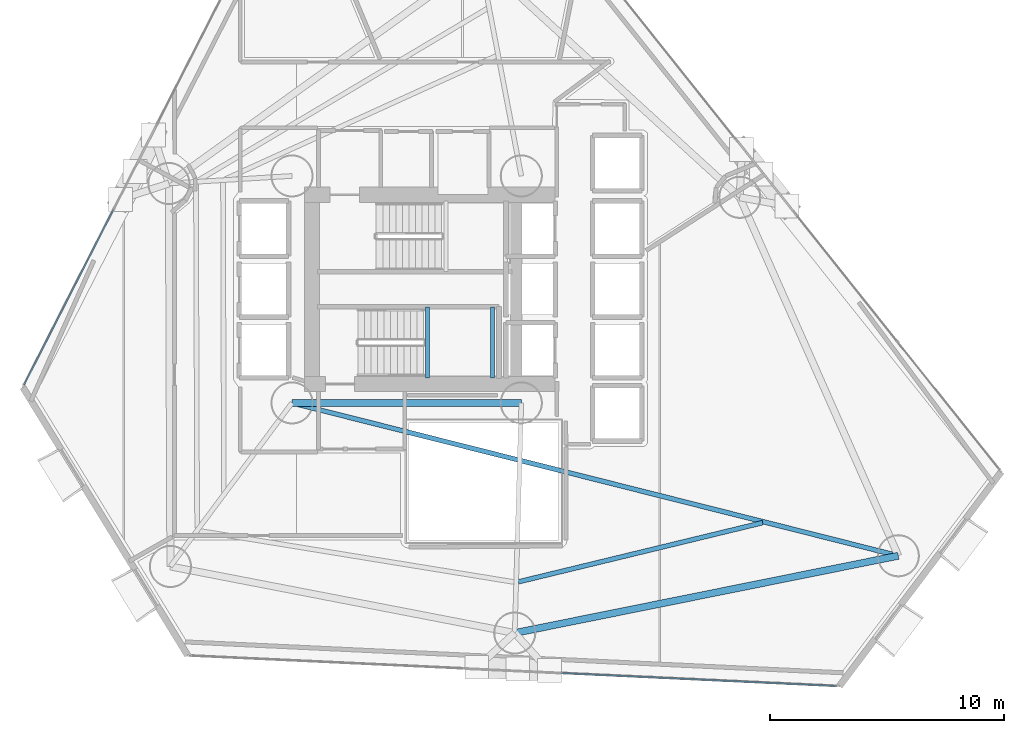
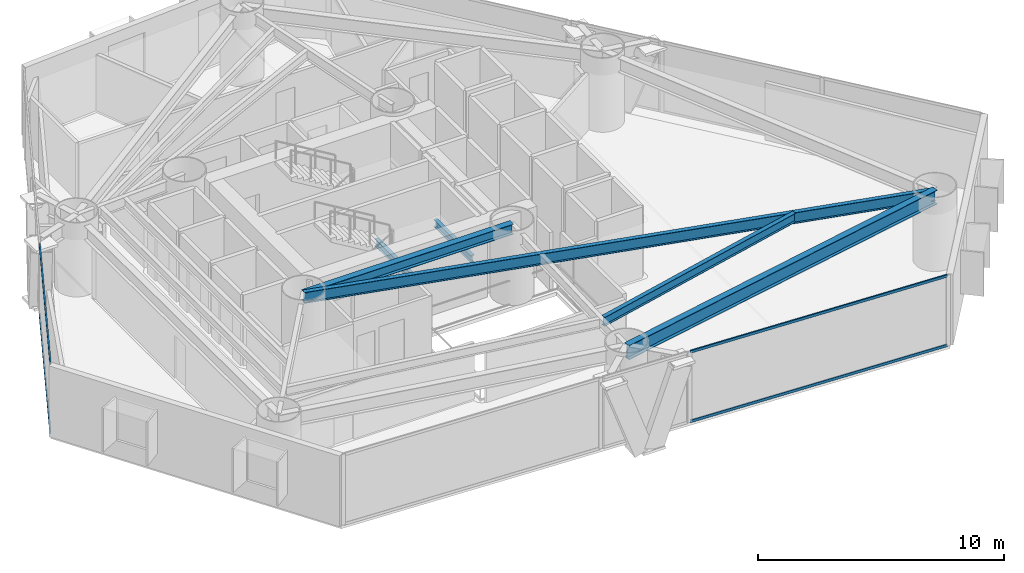
# One storey, part 6 of 23: 6 beams, 4 members, 2 elements without a shape of their own.
"""IFC4 building model written with IfcOpenShell, lengths in metres."""

from ifc_helpers import new_model, si_unit, direction, frame, origin, origin_2d, place, context, subcontext, project, spatial, hollow_rectangle, i_section, extrude, material, layer, layer_set, material_profile, profile_set, type_object, element, aggregate, save


model = new_model("IFC4")

# Units and contexts
model_context = context("Model", 3, precision=1e-05, world=origin(), true_north=direction((0.0, 1.0)))
body_context = subcontext(model_context, "Body", "Model", "MODEL_VIEW")
ifc_project = project(units=[si_unit("LENGTHUNIT", "METRE"), si_unit("AREAUNIT", "SQUARE_METRE"), si_unit("VOLUMEUNIT", "CUBIC_METRE"), si_unit("PLANEANGLEUNIT", "RADIAN"), si_unit("MASSUNIT", "GRAM", prefix="KILO")], contexts=[model_context])

# Site, building, storey
site_placement = place(None, origin())
site = spatial("IfcSite", under=ifc_project, at=site_placement, CompositionType="ELEMENT")
building_placement = place(site_placement, origin())
building = spatial("IfcBuilding", under=site, at=building_placement, Name="Qianvela Tower", CompositionType="ELEMENT")
storey_placement = place(building_placement, frame((0.0, 0.0, 33.10009765625)))
storey = spatial("IfcBuildingStorey", under=building, at=storey_placement, Name="L07", CompositionType="ELEMENT", Elevation=33.10009765625)

# Beams
ifc_material_1 = material(Name="Steel Q355B", Category="steel")
ifc_material_profile_1 = material_profile(ifc_material_1, i_section(OverallWidth=0.300048828125, OverallDepth=0.5, WebThickness=0.010986328125, FlangeThickness=0.01806640625, at=origin_2d()), Name="HM500x300x11x18")
ifc_profile_set_1 = profile_set([ifc_material_profile_1], Name="Steel Q355B")
beam_type_1 = type_object("IfcBeamType", Name="BM-HM500-COLL", PredefinedType="BEAM", material=ifc_profile_set_1)
beam_1_placement = place(storey_placement, frame((28.60009765625, 23.85009765625, 3.267822265625), z_axis=(1.0, 0.0, 0.0), x_axis=(0.0, 1.0, 0.0)))
element("IfcBeam", 1, at=beam_1_placement, inside=storey, type_object=beam_type_1, Name="L07 Core Ring Collector Girder CC1", PredefinedType="BEAM", context=body_context, shape_type="SweptSolid", body=[
    extrude(i_section(OverallWidth=0.300048828125, OverallDepth=0.5, WebThickness=0.010986328125, FlangeThickness=0.01806640625, at=origin_2d()), origin(), (0.0, 0.0, 1.0), 9.7998046875),
])
ifc_material_2 = material(Name="Steel Q355B", Category="steel")
ifc_material_profile_2 = material_profile(ifc_material_2, i_section(OverallWidth=0.175048828125, OverallDepth=0.35009765625, WebThickness=0.007080078125, FlangeThickness=0.010986328125, at=origin_2d()), Name="HN350x175x7x11")
ifc_profile_set_2 = profile_set([ifc_material_profile_2], Name="Steel Q355B")
beam_type_2 = type_object("IfcBeamType", Name="BM-HN350-JOIST", PredefinedType="JOIST", material=ifc_profile_set_2)
for number, where, z_axis, x_axis, name in (
    (2, (34.39990234375, 24.919921875, 1.474853515625), (0.0, 1.0, 0.0), (-1.0, 0.0, 0.0), "L07 Stair ST-2 Landing Support Beam 1.1"),
    (3, (37.169921875, 24.919921875, 1.474853515625), (0.0, 1.0, 0.0), (-1.0, 0.0, 0.0), "L07 Stair ST-2 Landing Support Beam 1.2"),
):
    element("IfcBeam", number, at=place(storey_placement, frame(where, z_axis=z_axis, x_axis=x_axis)), inside=storey, type_object=beam_type_2, Name=name, PredefinedType="JOIST", context=body_context, shape_type="SweptSolid", body=[
        extrude(i_section(OverallWidth=0.175048828125, OverallDepth=0.35009765625, WebThickness=0.007080078125, FlangeThickness=0.010986328125, at=origin_2d()), origin(), (0.0, 0.0, 1.0), 3.02001953125),
    ])
ifc_material_3 = material(Name="Steel Q355B", Category="steel")
ifc_material_profile_3 = material_profile(ifc_material_3, i_section(OverallWidth=0.199951171875, OverallDepth=0.449951171875, WebThickness=0.009033203125, FlangeThickness=0.013916015625, at=origin_2d()), Name="HN450x200x9x14")
ifc_profile_set_3 = profile_set([ifc_material_profile_3], Name="Steel Q355B")
beam_type_3 = type_object("IfcBeamType", Name="BM-HN450-JOIST", PredefinedType="JOIST", material=ifc_profile_set_3)
beam_2_placement = place(storey_placement, frame((38.27490234375, 16.2021484375, 3.29296875), z_axis=(0.97189533292, 0.235413385024, 0.0), x_axis=(-0.235413385024, 0.97189533292, 0.0)))
element("IfcBeam", 4, at=beam_2_placement, inside=storey, type_object=beam_type_3, Name="L07 Secondary Composite Floor Joist 6.3", PredefinedType="JOIST", context=body_context, shape_type="SweptSolid", body=[
    extrude(i_section(OverallWidth=0.199951171875, OverallDepth=0.449951171875, WebThickness=0.009033203125, FlangeThickness=0.013916015625, at=origin_2d()), origin(), (0.0, 0.0, 1.0), 10.7451171875),
])
ifc_material_4 = material(Name="Steel Q355B", Category="steel")
ifc_material_profile_4 = material_profile(ifc_material_4, i_section(OverallWidth=0.199951171875, OverallDepth=0.550048828125, WebThickness=0.010009765625, FlangeThickness=0.01611328125, at=origin_2d()), Name="HN550x200x10x16")
ifc_profile_set_4 = profile_set([ifc_material_profile_4], Name="Steel Q355B")
beam_type_4 = type_object("IfcBeamType", Name="BM-HN550-GIRD", PredefinedType="BEAM", material=ifc_profile_set_4)
beam_3_placement = place(storey_placement, frame((28.60009765625, 23.85009765625, 3.242919921875), z_axis=(0.969654189465, -0.244480577661, 0.0), x_axis=(0.244480577661, 0.969654189465, 0.0)))
element("IfcBeam", 5, at=beam_3_placement, inside=storey, type_object=beam_type_4, Name="L07 Radial Primary Floor Girder 1", PredefinedType="BEAM", context=body_context, shape_type="SweptSolid", body=[
    extrude(i_section(OverallWidth=0.199951171875, OverallDepth=0.550048828125, WebThickness=0.010009765625, FlangeThickness=0.01611328125, at=origin_2d()), origin(), (0.0, 0.0, 1.0), 26.722900390625),
])
ifc_material_5 = material(Name="Steel Q355B", Category="steel")
ifc_material_profile_5 = material_profile(ifc_material_5, i_section(OverallWidth=0.300048828125, OverallDepth=0.699951171875, WebThickness=0.012939453125, FlangeThickness=0.02392578125, at=origin_2d()), Name="HN700x300x13x24")
ifc_profile_set_5 = profile_set([ifc_material_profile_5], Name="Steel Q355B")
beam_type_5 = type_object("IfcBeamType", Name="BM-HN700-SPAND", PredefinedType="SPANDREL", material=ifc_profile_set_5)
beam_4_placement = place(storey_placement, frame((38.1201171875, 14.01611328125, 3.16796875), z_axis=(0.980322065881, 0.197404779951, 0.0), x_axis=(-0.197404779951, 0.980322065881, 0.0)))
element("IfcBeam", 6, at=beam_4_placement, inside=storey, type_object=beam_type_5, Name="L07 Perimeter Ring Spandrel Girder 6", PredefinedType="SPANDREL", context=body_context, shape_type="SweptSolid", body=[
    extrude(i_section(OverallWidth=0.300048828125, OverallDepth=0.699951171875, WebThickness=0.012939453125, FlangeThickness=0.02392578125, at=origin_2d()), origin(), (0.0, 0.0, 1.0), 16.720947265625),
])

# Curtain wall, members
ifc_material_6 = material(Name="Anodised Architectural Aluminium and Low-E Glass", Category="aluminium")
ifc_layer = layer(ifc_material_6, 0.179931640625)
ifc_layer_set = layer_set([ifc_layer], Name="Anodised Architectural Aluminium and Low-E Glass")
curtain_wall_type = type_object("IfcCurtainWallType", Name="CW-COLIV-Z12", PredefinedType="USERDEFINED", material=ifc_layer_set)
curtain_wall_1_placement = place(storey_placement, origin())
curtain_wall_1 = element("IfcCurtainWall", 7, at=curtain_wall_1_placement, inside=storey, type_object=curtain_wall_type, Name="L07 CW-COLIV-Z12 Curtain Wall 04C", ObjectType="CURTAIN_WALL_SYSTEM", PredefinedType="USERDEFINED")
ifc_material_7 = material(Name="Anodised Architectural Aluminium 6063-T6", Category="aluminium")
ifc_material_profile_6 = material_profile(ifc_material_7, hollow_rectangle(XDim=0.06494140625, YDim=0.1298828125, WallThickness=0.00439453125, at=origin_2d()), Name="ALU-TRAN-65x130")
ifc_profile_set_6 = profile_set([ifc_material_profile_6], Name="Anodised Architectural Aluminium 6063-T6")
member_type = type_object("IfcMemberType", Name="CW-COLIV-Z12-TRAN", PredefinedType="USERDEFINED", material=ifc_profile_set_6)
member_1_placement = place(storey_placement, frame((20.965087890625, 32.099365234375, 0.032470703125), z_axis=(-0.454622977606, -0.890683977757, 0.0), x_axis=(0.890683977757, -0.454622977606, 0.0)))
member_1 = element("IfcMember", 8, at=member_1_placement, type_object=member_type, Name="CW-3 transom 1.1", ObjectType="TRANSOM", PredefinedType="USERDEFINED", context=body_context, shape_type="SweptSolid", body=[
    extrude(hollow_rectangle(XDim=0.06494140625, YDim=0.1298828125, WallThickness=0.00439453125, at=origin_2d()), origin(), (0.0, 0.0, 1.0), 8.391357421875),
])
member_2_placement = place(storey_placement, frame((20.965087890625, 32.099365234375, 3.4873046875), z_axis=(-0.454622977606, -0.890683977757, 0.0), x_axis=(0.890683977757, -0.454622977606, 0.0)))
member_2 = element("IfcMember", 9, at=member_2_placement, type_object=member_type, Name="CW-3 transom 1.2", ObjectType="TRANSOM", PredefinedType="USERDEFINED", context=body_context, shape_type="SweptSolid", body=[
    extrude(hollow_rectangle(XDim=0.06494140625, YDim=0.1298828125, WallThickness=0.00439453125, at=origin_2d()), origin(), (0.0, 0.0, 1.0), 8.391357421875),
])
aggregate(curtain_wall_1, [member_1, member_2])

curtain_wall_2_placement = place(storey_placement, origin())
curtain_wall_2 = element("IfcCurtainWall", 10, at=curtain_wall_2_placement, inside=storey, type_object=curtain_wall_type, Name="L07 CW-COLIV-Z12 Curtain Wall 06C", ObjectType="CURTAIN_WALL_SYSTEM", PredefinedType="USERDEFINED")
member_3_placement = place(storey_placement, frame((40.1240234375, 12.3037109375, 0.032470703125), z_axis=(0.998901263224, -0.046864339639, 0.0), x_axis=(0.046864339639, 0.998901263224, 0.0)))
member_3 = element("IfcMember", 11, at=member_3_placement, type_object=member_type, Name="CW-3 transom 1.1", ObjectType="TRANSOM", PredefinedType="USERDEFINED", context=body_context, shape_type="SweptSolid", body=[
    extrude(hollow_rectangle(XDim=0.06494140625, YDim=0.1298828125, WallThickness=0.00439453125, at=origin_2d()), origin(), (0.0, 0.0, 1.0), 11.768310546875),
])
member_4_placement = place(storey_placement, frame((40.1240234375, 12.3037109375, 3.4873046875), z_axis=(0.998901263224, -0.046864339639, 0.0), x_axis=(0.046864339639, 0.998901263224, 0.0)))
member_4 = element("IfcMember", 12, at=member_4_placement, type_object=member_type, Name="CW-3 transom 1.2", ObjectType="TRANSOM", PredefinedType="USERDEFINED", context=body_context, shape_type="SweptSolid", body=[
    extrude(hollow_rectangle(XDim=0.06494140625, YDim=0.1298828125, WallThickness=0.00439453125, at=origin_2d()), origin(), (0.0, 0.0, 1.0), 11.768310546875),
])
aggregate(curtain_wall_2, [member_3, member_4])

save(model, "model.ifc")
